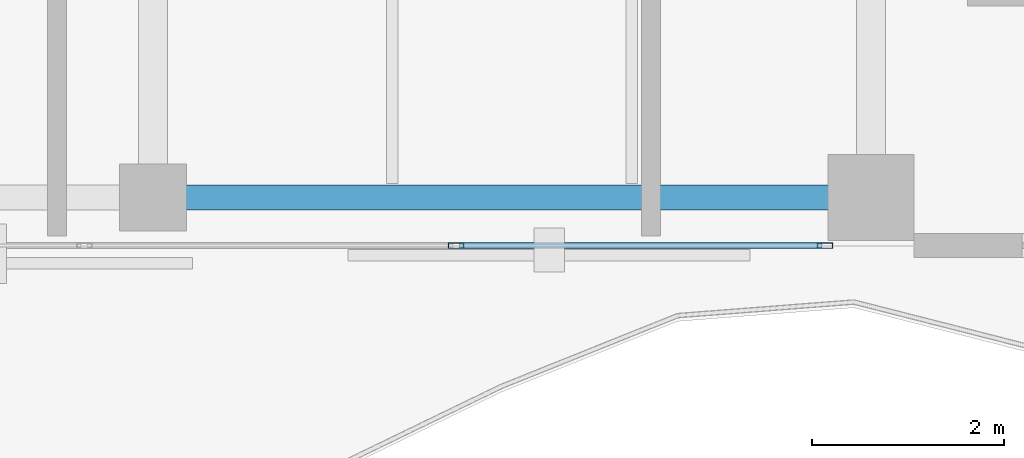
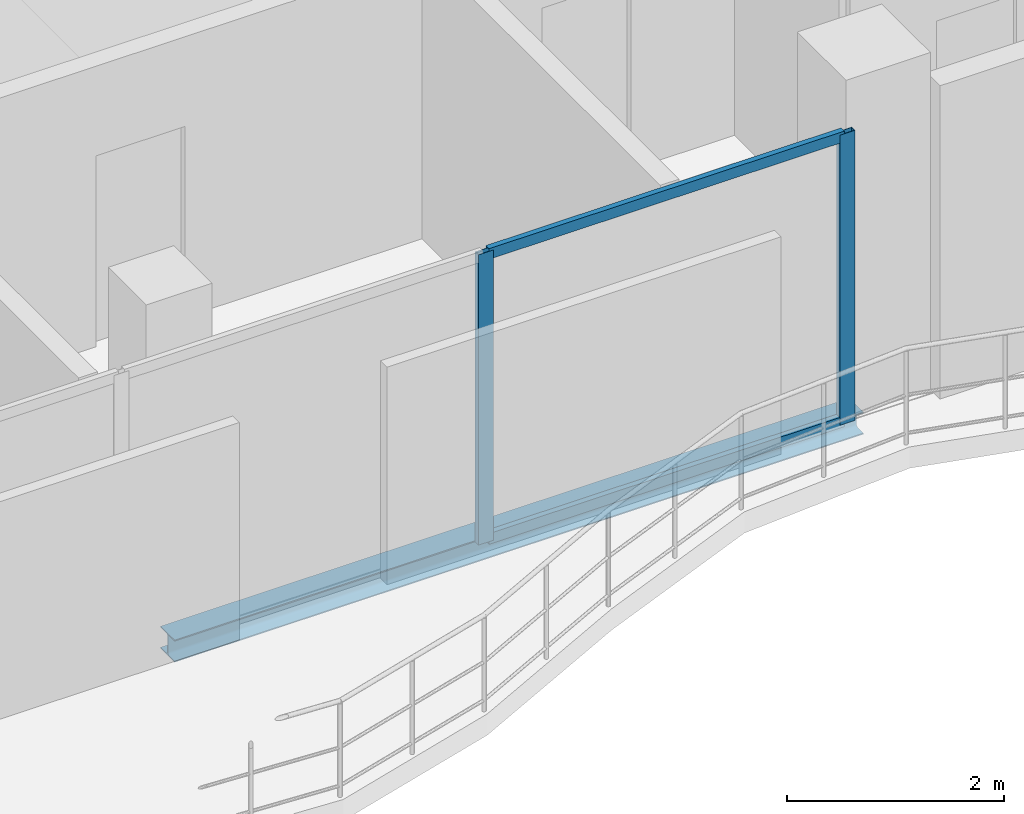
# One storey, part 6 of 17: 4 members, 1 beam, 1 element without a shape of its own.
"""IFC4 building model written with IfcOpenShell, lengths in metres."""

from ifc_helpers import new_model, si_unit, direction, frame, origin, origin_2d, place, context, subcontext, project, spatial, hollow_rectangle, i_section, extrude, material, layer, layer_set, material_profile, profile_set, type_object, element, aggregate, save


model = new_model("IFC4")

# Units and contexts
model_context = context("Model", 3, precision=1e-05, world=origin(), true_north=direction((0.0, 1.0)))
body_context = subcontext(model_context, "Body", "Model", "MODEL_VIEW")
ifc_project = project(units=[si_unit("LENGTHUNIT", "METRE"), si_unit("AREAUNIT", "SQUARE_METRE"), si_unit("VOLUMEUNIT", "CUBIC_METRE"), si_unit("PLANEANGLEUNIT", "RADIAN"), si_unit("MASSUNIT", "GRAM", prefix="KILO")], contexts=[model_context])

# Site, building, storey
site_placement = place(None, origin())
site = spatial("IfcSite", under=ifc_project, at=site_placement, CompositionType="ELEMENT")
building_placement = place(site_placement, origin())
building = spatial("IfcBuilding", under=site, at=building_placement, Name="Catumbela Crestline Tower", CompositionType="ELEMENT")
storey_placement = place(building_placement, frame((0.0, 0.0, 267.8)))
storey = spatial("IfcBuildingStorey", under=building, at=storey_placement, Name="L69", CompositionType="ELEMENT", Elevation=267.8)

# Curtain wall, members
ifc_material_1 = material(Name="Aluminium alloy AW-6060-T66", Category="aluminium")
ifc_layer = layer(ifc_material_1, 0.18, Name="Aluminium alloy AW-6060-T66")
ifc_layer_set = layer_set([ifc_layer], Name="Aluminium alloy AW-6060-T66")
curtain_wall_type = type_object("IfcCurtainWallType", Name="CWU-Z4", PredefinedType="USERDEFINED", material=ifc_layer_set)
curtain_wall_placement = place(storey_placement, origin())
curtain_wall = element("IfcCurtainWall", 1, at=curtain_wall_placement, inside=storey, type_object=curtain_wall_type, Name="L69 Unitised Curtain Wall CW-L69-E3S2", ObjectType="UNITISED", PredefinedType="USERDEFINED")
ifc_material_profile_1 = material_profile(ifc_material_1, hollow_rectangle(XDim=0.06, YDim=0.16, WallThickness=0.004, at=origin_2d()), Name="ALU 160x60x4")
ifc_profile_set_1 = profile_set([ifc_material_profile_1], Name="Aluminium alloy AW-6060-T66")
member_type_1 = type_object("IfcMemberType", Name="MUL-160X60", PredefinedType="MULLION", material=ifc_profile_set_1)
member_1_placement = place(storey_placement, frame((35.1667, 24.0, 0.0), z_axis=(0.0, 0.0, 1.0), x_axis=(0.0, 1.0, 0.0)))
member_1 = element("IfcMember", 2, at=member_1_placement, type_object=member_type_1, Name="CWU-Z4 mullion 3", PredefinedType="MULLION", context=body_context, shape_type="SweptSolid", body=[
    extrude(hollow_rectangle(XDim=0.06, YDim=0.16, WallThickness=0.004, at=origin_2d()), origin(), (0.0, 0.0, 1.0), 3.27),
])
member_2_placement = place(storey_placement, frame((39.0175, 24.0, 0.0), z_axis=(0.0, 0.0, 1.0), x_axis=(0.0, 1.0, 0.0)))
member_2 = element("IfcMember", 3, at=member_2_placement, type_object=member_type_1, Name="CWU-Z4 mullion 4", PredefinedType="MULLION", context=body_context, shape_type="SweptSolid", body=[
    extrude(hollow_rectangle(XDim=0.06, YDim=0.16, WallThickness=0.004, at=origin_2d()), origin(), (0.0, 0.0, 1.0), 3.27),
])

# Beam
ifc_material_2 = material(Name="Structural steel S355J2", Category="steel")
ifc_material_profile_2 = material_profile(ifc_material_2, i_section(OverallWidth=0.26, OverallDepth=0.25, WebThickness=0.0075, FlangeThickness=0.0125, FilletRadius=0.024, at=origin_2d()), Name="HEA 260")
ifc_profile_set_2 = profile_set([ifc_material_profile_2], Name="Structural steel S355J2")
beam_type = type_object("IfcBeamType", Name="BS-HEA260", PredefinedType="SPANDREL", material=ifc_profile_set_2)
beam_placement = place(storey_placement, frame((32.08, 24.5, -0.385), z_axis=(1.0, 0.0, 0.0), x_axis=(0.0, 1.0, 0.0)))
element("IfcBeam", 4, at=beam_placement, inside=storey, type_object=beam_type, Name="L69 Spandrel SP-L69-S03", PredefinedType="SPANDREL", context=body_context, shape_type="SweptSolid", body=[
    extrude(i_section(OverallWidth=0.26, OverallDepth=0.25, WebThickness=0.0075, FlangeThickness=0.0125, FilletRadius=0.024, at=origin_2d()), origin(), (0.0, 0.0, 1.0), 7.34),
])

# Member
ifc_material_profile_3 = material_profile(ifc_material_1, hollow_rectangle(XDim=0.06, YDim=0.12, WallThickness=0.0035, at=origin_2d()), Name="ALU 120x60x3.5")
ifc_profile_set_3 = profile_set([ifc_material_profile_3], Name="Aluminium alloy AW-6060-T66")
member_type_2 = type_object("IfcMemberType", Name="TRN-120X60", PredefinedType="USERDEFINED", material=ifc_profile_set_3)
member_3_placement = place(storey_placement, frame((35.1992, 24.0, 0.03), z_axis=(1.0, 0.0, 0.0), x_axis=(0.0, 1.0, 0.0)))
member_3 = element("IfcMember", 5, at=member_3_placement, type_object=member_type_2, Name="CWU-Z4 transom 3.1", ObjectType="TRANSOM", PredefinedType="USERDEFINED", context=body_context, shape_type="SweptSolid", body=[
    extrude(hollow_rectangle(XDim=0.06, YDim=0.12, WallThickness=0.0035, at=origin_2d()), origin(), (0.0, 0.0, 1.0), 3.7858),
])

member_4_placement = place(storey_placement, frame((35.1992, 24.0, 3.24), z_axis=(1.0, 0.0, 0.0), x_axis=(0.0, 1.0, 0.0)))
member_4 = element("IfcMember", 6, at=member_4_placement, type_object=member_type_2, Name="CWU-Z4 transom 3.2", ObjectType="TRANSOM", PredefinedType="USERDEFINED", context=body_context, shape_type="SweptSolid", body=[
    extrude(hollow_rectangle(XDim=0.06, YDim=0.12, WallThickness=0.0035, at=origin_2d()), origin(), (0.0, 0.0, 1.0), 3.7858),
])

aggregate(curtain_wall, [member_1, member_2, member_3, member_4])

save(model, "model.ifc")
